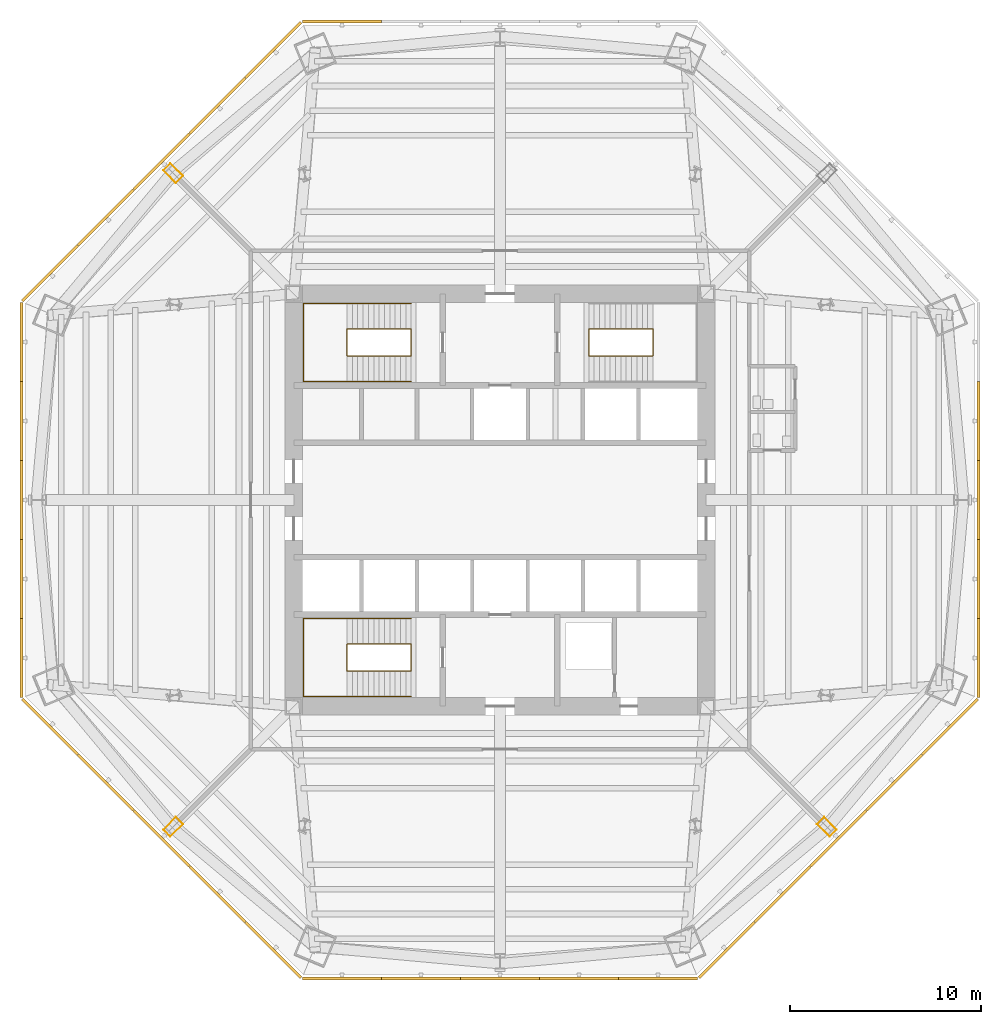
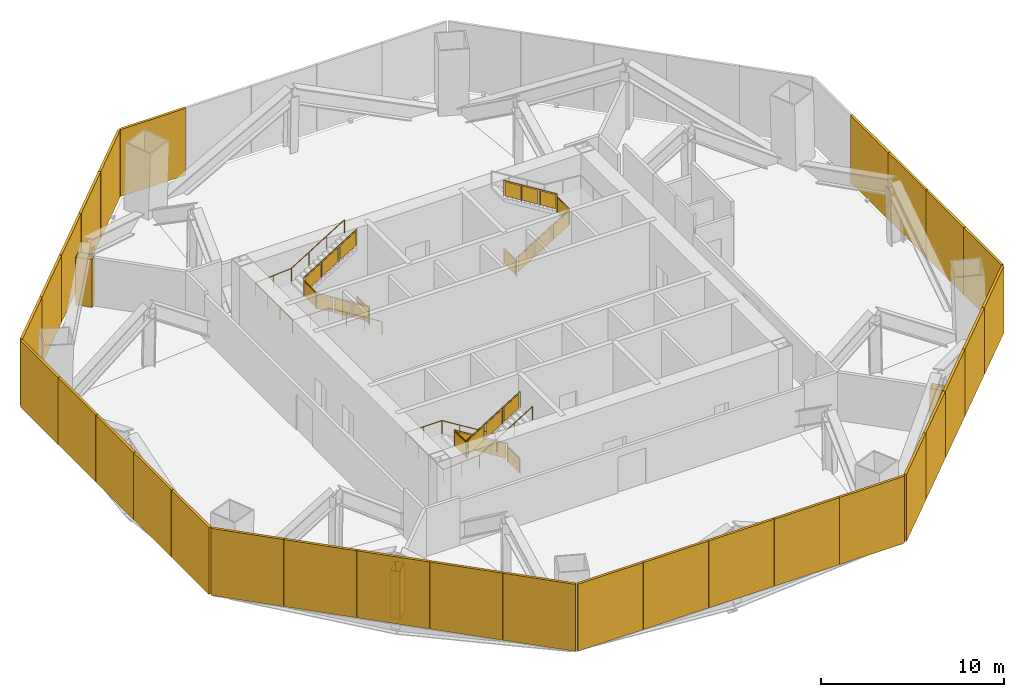
# One storey, part 7 of 9: 30 shading devices, 5 railings, 3 coverings.
"""IFC4 building model written with IfcOpenShell, lengths in metres."""

from ifc_helpers import new_model, si_unit, direction, frame, origin, origin_2d, place, context, subcontext, project, spatial, polyline, rectangle, circle, outline, extrude, source, transform, mapped, material, layer, layer_set, type_object, type_shapes, element, save


model = new_model("IFC4")

# Units and contexts
model_context = context("Model", 3, precision=1e-05, world=origin(), true_north=direction((0.0, 1.0)))
body_context = subcontext(model_context, "Body", "Model", "MODEL_VIEW")
ifc_project = project(units=[si_unit("LENGTHUNIT", "METRE"), si_unit("AREAUNIT", "SQUARE_METRE"), si_unit("VOLUMEUNIT", "CUBIC_METRE"), si_unit("PLANEANGLEUNIT", "RADIAN"), si_unit("MASSUNIT", "GRAM", prefix="KILO")], contexts=[model_context])

# Site, building, storey
site_placement = place(None, origin())
site = spatial("IfcSite", under=ifc_project, at=site_placement, CompositionType="ELEMENT")
building_placement = place(site_placement, origin())
building = spatial("IfcBuilding", under=site, at=building_placement, Name="Mashrafa Tower", CompositionType="ELEMENT")
storey_placement = place(building_placement, frame((0.0, 0.0, 104.39990234375)))
storey = spatial("IfcBuildingStorey", under=building, at=storey_placement, Name="L23", CompositionType="ELEMENT", Elevation=104.39990234375)

# Coverings
ifc_material_1 = material(Name="Gypsum board")
ifc_layer_1 = layer(ifc_material_1, 0.014892578125)
ifc_layer_set_1 = layer_set([ifc_layer_1], Name="Column casing plasterboard 15")
covering_type = type_object("IfcCoveringType", Name="Column casing plasterboard 15", PredefinedType="CLADDING", material=ifc_layer_set_1)
covering_1_placement = place(storey_placement, origin())
element("IfcCovering", 1, at=covering_1_placement, inside=storey, type_object=covering_type, Name="Column casing L23-002", PredefinedType="CLADDING", context=body_context, shape_type="SweptSolid", body=[
    extrude(outline(polyline([(-17.63623046875, 17.26171875), (-17.26171875, 17.63623046875), (-16.598388671875, 16.97314453125), (-16.97314453125, 16.598388671875), (-17.63623046875, 17.26171875)]), holes=[polyline([(-16.61962890625, 16.97314453125), (-17.26171875, 17.614990234375), (-17.614990234375, 17.26171875), (-16.97314453125, 16.61962890625), (-16.61962890625, 16.97314453125)])]), origin(), (0.0, 0.0, 1.0), 3.19873046875),
])
covering_2_placement = place(storey_placement, origin())
element("IfcCovering", 2, at=covering_2_placement, inside=storey, type_object=covering_type, Name="Column casing L23-003", PredefinedType="CLADDING", context=body_context, shape_type="SweptSolid", body=[
    extrude(outline(polyline([(-17.63623046875, -17.26171875), (-16.97314453125, -16.598388671875), (-16.598388671875, -16.97314453125), (-17.26171875, -17.63623046875), (-17.63623046875, -17.26171875)]), holes=[polyline([(-16.61962890625, -16.97314453125), (-16.97314453125, -16.61962890625), (-17.614990234375, -17.26171875), (-17.26171875, -17.614990234375), (-16.61962890625, -16.97314453125)])]), origin(), (0.0, 0.0, 1.0), 3.19873046875),
])
covering_3_placement = place(storey_placement, origin())
element("IfcCovering", 3, at=covering_3_placement, inside=storey, type_object=covering_type, Name="Column casing L23-004", PredefinedType="CLADDING", context=body_context, shape_type="SweptSolid", body=[
    extrude(outline(polyline([(16.598388671875, -16.97314453125), (16.97314453125, -16.598388671875), (17.63623046875, -17.26171875), (17.26171875, -17.63623046875), (16.598388671875, -16.97314453125)]), holes=[polyline([(17.614990234375, -17.26171875), (16.97314453125, -16.61962890625), (16.61962890625, -16.97314453125), (17.26171875, -17.614990234375), (17.614990234375, -17.26171875)])]), origin(), (0.0, 0.0, 1.0), 3.19873046875),
])

# Railings
ifc_material_2 = material(Name="Steel guard with glass infill", Category="steel")
railing_type_1 = type_object("IfcRailingType", Name="Stair guard 1100", PredefinedType="GUARDRAIL", material=ifc_material_2)
railing_1_placement = place(storey_placement, frame((-4.64990234375, 8.949951171875, 0.0)))
element("IfcRailing", 4, at=railing_1_placement, inside=storey, type_object=railing_type_1, Name="Stair S1 guard L23", PredefinedType="GUARDRAIL", context=body_context, shape_type="SweptSolid", body=[
    extrude(circle(Radius=0.02392578125, at=origin_2d()), frame((0.0, 0.0, 1.076171875), z_axis=(0.0, -1.0, 0.0), x_axis=(1.0, 0.0, 0.0)), (0.0, 0.0, 1.0), 1.39990234375),
    extrude(circle(Radius=0.02392578125, at=origin_2d()), frame((0.0, -1.39990234375, 1.076171875), z_axis=(0.0, 0.0, 1.0), x_axis=(1.0, 0.0, 0.0)), (0.0, 0.0, 1.0), 0.173095703125),
    extrude(circle(Radius=0.02392578125, at=origin_2d()), frame((0.0, -1.39990234375, 1.2490234375), z_axis=(-0.850623216509, 0.0, 0.525775754039), x_axis=(0.0, -1.0, 0.0)), (0.0, 0.0, 1.0), 3.9501953125),
    extrude(circle(Radius=0.02392578125, at=origin_2d()), frame((-3.360107421875, -1.39990234375, 3.326171875), z_axis=(0.0, 1.0, 0.0), x_axis=(-1.0, 0.0, 0.0)), (0.0, 0.0, 1.0), 1.39990234375),
    extrude(circle(Radius=0.02392578125, at=origin_2d()), frame((-3.360107421875, 0.0, 3.326171875), z_axis=(0.0, 0.0, 1.0), x_axis=(1.0, 0.0, 0.0)), (0.0, 0.0, 1.0), 0.173095703125),
    extrude(circle(Radius=0.02392578125, at=origin_2d()), frame((-3.360107421875, 0.0, 3.4990234375), z_axis=(0.850623216509, 0.0, 0.525775754039), x_axis=(0.0, 1.0, 0.0)), (0.0, 0.0, 1.0), 3.9501953125),
    extrude(circle(Radius=0.02099609375, at=origin_2d()), origin(), (0.0, 0.0, 1.0), 1.052001953125),
    extrude(circle(Radius=0.02099609375, at=origin_2d()), frame((0.0, -1.39990234375, 0.0)), (0.0, 0.0, 1.0), 1.052001953125),
    extrude(circle(Radius=0.02099609375, at=origin_2d()), frame((0.0, -1.39990234375, 0.173095703125)), (0.0, 0.0, 1.0), 1.052001953125),
    extrude(circle(Radius=0.02099609375, at=origin_2d()), frame((-1.1201171875, -1.39990234375, 0.865478515625)), (0.0, 0.0, 1.0), 1.052001953125),
    extrude(circle(Radius=0.02099609375, at=origin_2d()), frame((-2.239990234375, -1.39990234375, 1.5576171875)), (0.0, 0.0, 1.0), 1.052001953125),
    extrude(circle(Radius=0.02099609375, at=origin_2d()), frame((-3.360107421875, -1.39990234375, 2.25)), (0.0, 0.0, 1.0), 1.052001953125),
    extrude(circle(Radius=0.02099609375, at=origin_2d()), frame((-3.360107421875, 0.0, 2.25)), (0.0, 0.0, 1.0), 1.052001953125),
    extrude(circle(Radius=0.02099609375, at=origin_2d()), frame((-3.360107421875, 0.0, 2.423095703125)), (0.0, 0.0, 1.0), 1.052001953125),
    extrude(circle(Radius=0.02099609375, at=origin_2d()), frame((-2.239990234375, 0.0, 3.115478515625)), (0.0, 0.0, 1.0), 1.052001953125),
    extrude(circle(Radius=0.02099609375, at=origin_2d()), frame((-1.1201171875, 0.0, 3.8076171875)), (0.0, 0.0, 1.0), 1.052001953125),
    extrude(circle(Radius=0.02099609375, at=origin_2d()), frame((0.0, 0.0, 4.5)), (0.0, 0.0, 1.0), 1.052001953125),
    extrude(outline(polyline([(0.071044921875, 0.050048828125), (1.328857421875, 0.050048828125), (1.328857421875, 1.001953125), (0.071044921875, 1.001953125), (0.071044921875, 0.050048828125)])), frame((-0.006103515625, 0.0, 0.0), z_axis=(-1.0, 0.0, 0.0), x_axis=(0.0, -1.0, 0.0)), (0.0, 0.0, 1.0), 0.011962890625),
    extrude(outline(polyline([(0.071044921875, 0.093994140625), (1.049072265625, 0.698486328125), (1.049072265625, 1.650390625), (0.071044921875, 1.0458984375), (0.071044921875, 0.093994140625)])), frame((0.0, -1.393798828125, 0.173095703125), z_axis=(0.0, 1.0, 0.0), x_axis=(-1.0, 0.0, 0.0)), (0.0, 0.0, 1.0), 0.011962890625),
    extrude(outline(polyline([(1.19091796875, 0.7861328125), (2.169189453125, 1.390625), (2.169189453125, 2.3427734375), (1.19091796875, 1.73828125), (1.19091796875, 0.7861328125)])), frame((0.0, -1.393798828125, 0.173095703125), z_axis=(0.0, 1.0, 0.0), x_axis=(-1.0, 0.0, 0.0)), (0.0, 0.0, 1.0), 0.011962890625),
    extrude(outline(polyline([(2.31103515625, 1.478515625), (3.2890625, 2.0830078125), (3.2890625, 3.034912109375), (2.31103515625, 2.430419921875), (2.31103515625, 1.478515625)])), frame((0.0, -1.393798828125, 0.173095703125), z_axis=(0.0, 1.0, 0.0), x_axis=(-1.0, 0.0, 0.0)), (0.0, 0.0, 1.0), 0.011962890625),
    extrude(outline(polyline([(0.071044921875, 0.050048828125), (1.328857421875, 0.050048828125), (1.328857421875, 1.001953125), (0.071044921875, 1.001953125), (0.071044921875, 0.050048828125)])), frame((-3.35400390625, -1.39990234375, 2.25), z_axis=(1.0, 0.0, 0.0), x_axis=(0.0, 1.0, 0.0)), (0.0, 0.0, 1.0), 0.011962890625),
    extrude(outline(polyline([(0.071044921875, 0.093994140625), (1.049072265625, 0.698486328125), (1.049072265625, 1.650390625), (0.071044921875, 1.0458984375), (0.071044921875, 0.093994140625)])), frame((-3.360107421875, -0.006103515625, 2.423095703125), z_axis=(0.0, -1.0, 0.0), x_axis=(1.0, 0.0, 0.0)), (0.0, 0.0, 1.0), 0.011962890625),
    extrude(outline(polyline([(1.19091796875, 0.7861328125), (2.169189453125, 1.390625), (2.169189453125, 2.3427734375), (1.19091796875, 1.73828125), (1.19091796875, 0.7861328125)])), frame((-3.360107421875, -0.006103515625, 2.423095703125), z_axis=(0.0, -1.0, 0.0), x_axis=(1.0, 0.0, 0.0)), (0.0, 0.0, 1.0), 0.011962890625),
    extrude(outline(polyline([(2.31103515625, 1.478515625), (3.2890625, 2.0830078125), (3.2890625, 3.034912109375), (2.31103515625, 2.430419921875), (2.31103515625, 1.478515625)])), frame((-3.360107421875, -0.006103515625, 2.423095703125), z_axis=(0.0, -1.0, 0.0), x_axis=(1.0, 0.0, 0.0)), (0.0, 0.0, 1.0), 0.011962890625),
])
railing_2_placement = place(storey_placement, frame((4.64990234375, 8.949951171875, 0.0)))
element("IfcRailing", 5, at=railing_2_placement, inside=storey, type_object=railing_type_1, Name="Stair S2 guard L23", PredefinedType="GUARDRAIL", context=body_context, shape_type="SweptSolid", body=[
    extrude(circle(Radius=0.02392578125, at=origin_2d()), frame((0.0, 0.0, 1.076171875), z_axis=(0.0, -1.0, 0.0), x_axis=(1.0, 0.0, 0.0)), (0.0, 0.0, 1.0), 1.39990234375),
    extrude(circle(Radius=0.02392578125, at=origin_2d()), frame((0.0, -1.39990234375, 1.076171875), z_axis=(0.0, 0.0, 1.0), x_axis=(1.0, 0.0, 0.0)), (0.0, 0.0, 1.0), 0.173095703125),
    extrude(circle(Radius=0.02392578125, at=origin_2d()), frame((0.0, -1.39990234375, 1.2490234375), z_axis=(0.850623216509, 0.0, 0.525775754039), x_axis=(0.0, 1.0, 0.0)), (0.0, 0.0, 1.0), 3.9501953125),
    extrude(circle(Radius=0.02392578125, at=origin_2d()), frame((3.360107421875, -1.39990234375, 3.326171875), z_axis=(0.0, 1.0, 0.0), x_axis=(-1.0, 0.0, 0.0)), (0.0, 0.0, 1.0), 1.39990234375),
    extrude(circle(Radius=0.02392578125, at=origin_2d()), frame((3.360107421875, 0.0, 3.326171875), z_axis=(0.0, 0.0, 1.0), x_axis=(1.0, 0.0, 0.0)), (0.0, 0.0, 1.0), 0.173095703125),
    extrude(circle(Radius=0.02392578125, at=origin_2d()), frame((3.360107421875, 0.0, 3.4990234375), z_axis=(-0.850623216509, 0.0, 0.525775754039), x_axis=(0.0, -1.0, 0.0)), (0.0, 0.0, 1.0), 3.9501953125),
    extrude(circle(Radius=0.02099609375, at=origin_2d()), origin(), (0.0, 0.0, 1.0), 1.052001953125),
    extrude(circle(Radius=0.02099609375, at=origin_2d()), frame((0.0, -1.39990234375, 0.0)), (0.0, 0.0, 1.0), 1.052001953125),
    extrude(circle(Radius=0.02099609375, at=origin_2d()), frame((0.0, -1.39990234375, 0.173095703125)), (0.0, 0.0, 1.0), 1.052001953125),
    extrude(circle(Radius=0.02099609375, at=origin_2d()), frame((1.1201171875, -1.39990234375, 0.865478515625)), (0.0, 0.0, 1.0), 1.052001953125),
    extrude(circle(Radius=0.02099609375, at=origin_2d()), frame((2.239990234375, -1.39990234375, 1.5576171875)), (0.0, 0.0, 1.0), 1.052001953125),
    extrude(circle(Radius=0.02099609375, at=origin_2d()), frame((3.360107421875, -1.39990234375, 2.25)), (0.0, 0.0, 1.0), 1.052001953125),
    extrude(circle(Radius=0.02099609375, at=origin_2d()), frame((3.360107421875, 0.0, 2.25)), (0.0, 0.0, 1.0), 1.052001953125),
    extrude(circle(Radius=0.02099609375, at=origin_2d()), frame((3.360107421875, 0.0, 2.423095703125)), (0.0, 0.0, 1.0), 1.052001953125),
    extrude(circle(Radius=0.02099609375, at=origin_2d()), frame((2.239990234375, 0.0, 3.115478515625)), (0.0, 0.0, 1.0), 1.052001953125),
    extrude(circle(Radius=0.02099609375, at=origin_2d()), frame((1.1201171875, 0.0, 3.8076171875)), (0.0, 0.0, 1.0), 1.052001953125),
    extrude(circle(Radius=0.02099609375, at=origin_2d()), frame((0.0, 0.0, 4.5)), (0.0, 0.0, 1.0), 1.052001953125),
    extrude(outline(polyline([(0.071044921875, 0.050048828125), (1.328857421875, 0.050048828125), (1.328857421875, 1.001953125), (0.071044921875, 1.001953125), (0.071044921875, 0.050048828125)])), frame((-0.006103515625, 0.0, 0.0), z_axis=(-1.0, 0.0, 0.0), x_axis=(0.0, -1.0, 0.0)), (0.0, 0.0, 1.0), 0.011962890625),
    extrude(outline(polyline([(0.071044921875, 0.093994140625), (1.049072265625, 0.698486328125), (1.049072265625, 1.650390625), (0.071044921875, 1.0458984375), (0.071044921875, 0.093994140625)])), frame((0.0, -1.406005859375, 0.173095703125), z_axis=(0.0, -1.0, 0.0), x_axis=(1.0, 0.0, 0.0)), (0.0, 0.0, 1.0), 0.011962890625),
    extrude(outline(polyline([(1.19091796875, 0.7861328125), (2.169189453125, 1.390625), (2.169189453125, 2.3427734375), (1.19091796875, 1.73828125), (1.19091796875, 0.7861328125)])), frame((0.0, -1.406005859375, 0.173095703125), z_axis=(0.0, -1.0, 0.0), x_axis=(1.0, 0.0, 0.0)), (0.0, 0.0, 1.0), 0.011962890625),
    extrude(outline(polyline([(2.31103515625, 1.478515625), (3.2890625, 2.0830078125), (3.2890625, 3.034912109375), (2.31103515625, 2.430419921875), (2.31103515625, 1.478515625)])), frame((0.0, -1.406005859375, 0.173095703125), z_axis=(0.0, -1.0, 0.0), x_axis=(1.0, 0.0, 0.0)), (0.0, 0.0, 1.0), 0.011962890625),
    extrude(outline(polyline([(0.071044921875, 0.050048828125), (1.328857421875, 0.050048828125), (1.328857421875, 1.001953125), (0.071044921875, 1.001953125), (0.071044921875, 0.050048828125)])), frame((3.3662109375, -1.39990234375, 2.25), z_axis=(1.0, 0.0, 0.0), x_axis=(0.0, 1.0, 0.0)), (0.0, 0.0, 1.0), 0.011962890625),
    extrude(outline(polyline([(0.071044921875, 0.093994140625), (1.049072265625, 0.698486328125), (1.049072265625, 1.650390625), (0.071044921875, 1.0458984375), (0.071044921875, 0.093994140625)])), frame((3.360107421875, 0.006103515625, 2.423095703125), z_axis=(0.0, 1.0, 0.0), x_axis=(-1.0, 0.0, 0.0)), (0.0, 0.0, 1.0), 0.011962890625),
    extrude(outline(polyline([(1.19091796875, 0.7861328125), (2.169189453125, 1.390625), (2.169189453125, 2.3427734375), (1.19091796875, 1.73828125), (1.19091796875, 0.7861328125)])), frame((3.360107421875, 0.006103515625, 2.423095703125), z_axis=(0.0, 1.0, 0.0), x_axis=(-1.0, 0.0, 0.0)), (0.0, 0.0, 1.0), 0.011962890625),
    extrude(outline(polyline([(2.31103515625, 1.478515625), (3.2890625, 2.0830078125), (3.2890625, 3.034912109375), (2.31103515625, 2.430419921875), (2.31103515625, 1.478515625)])), frame((3.360107421875, 0.006103515625, 2.423095703125), z_axis=(0.0, 1.0, 0.0), x_axis=(-1.0, 0.0, 0.0)), (0.0, 0.0, 1.0), 0.011962890625),
])
railing_3_placement = place(storey_placement, frame((-4.64990234375, -8.949951171875, 0.0)))
element("IfcRailing", 6, at=railing_3_placement, inside=storey, type_object=railing_type_1, Name="Stair S3 guard L23", PredefinedType="GUARDRAIL", context=body_context, shape_type="SweptSolid", body=[
    extrude(circle(Radius=0.02392578125, at=origin_2d()), frame((0.0, 0.0, 1.076171875), z_axis=(0.0, 1.0, 0.0), x_axis=(-1.0, 0.0, 0.0)), (0.0, 0.0, 1.0), 1.39990234375),
    extrude(circle(Radius=0.02392578125, at=origin_2d()), frame((0.0, 1.39990234375, 1.076171875), z_axis=(0.0, 0.0, 1.0), x_axis=(1.0, 0.0, 0.0)), (0.0, 0.0, 1.0), 0.173095703125),
    extrude(circle(Radius=0.02392578125, at=origin_2d()), frame((0.0, 1.39990234375, 1.2490234375), z_axis=(-0.850623216509, 0.0, 0.525775754039), x_axis=(0.0, -1.0, 0.0)), (0.0, 0.0, 1.0), 3.9501953125),
    extrude(circle(Radius=0.02392578125, at=origin_2d()), frame((-3.360107421875, 1.39990234375, 3.326171875), z_axis=(0.0, -1.0, 0.0), x_axis=(1.0, 0.0, 0.0)), (0.0, 0.0, 1.0), 1.39990234375),
    extrude(circle(Radius=0.02392578125, at=origin_2d()), frame((-3.360107421875, 0.0, 3.326171875), z_axis=(0.0, 0.0, 1.0), x_axis=(1.0, 0.0, 0.0)), (0.0, 0.0, 1.0), 0.173095703125),
    extrude(circle(Radius=0.02392578125, at=origin_2d()), frame((-3.360107421875, 0.0, 3.4990234375), z_axis=(0.850623216509, 0.0, 0.525775754039), x_axis=(0.0, 1.0, 0.0)), (0.0, 0.0, 1.0), 3.9501953125),
    extrude(circle(Radius=0.02099609375, at=origin_2d()), origin(), (0.0, 0.0, 1.0), 1.052001953125),
    extrude(circle(Radius=0.02099609375, at=origin_2d()), frame((0.0, 1.39990234375, 0.0)), (0.0, 0.0, 1.0), 1.052001953125),
    extrude(circle(Radius=0.02099609375, at=origin_2d()), frame((0.0, 1.39990234375, 0.173095703125)), (0.0, 0.0, 1.0), 1.052001953125),
    extrude(circle(Radius=0.02099609375, at=origin_2d()), frame((-1.1201171875, 1.39990234375, 0.865478515625)), (0.0, 0.0, 1.0), 1.052001953125),
    extrude(circle(Radius=0.02099609375, at=origin_2d()), frame((-2.239990234375, 1.39990234375, 1.5576171875)), (0.0, 0.0, 1.0), 1.052001953125),
    extrude(circle(Radius=0.02099609375, at=origin_2d()), frame((-3.360107421875, 1.39990234375, 2.25)), (0.0, 0.0, 1.0), 1.052001953125),
    extrude(circle(Radius=0.02099609375, at=origin_2d()), frame((-3.360107421875, 0.0, 2.25)), (0.0, 0.0, 1.0), 1.052001953125),
    extrude(circle(Radius=0.02099609375, at=origin_2d()), frame((-3.360107421875, 0.0, 2.423095703125)), (0.0, 0.0, 1.0), 1.052001953125),
    extrude(circle(Radius=0.02099609375, at=origin_2d()), frame((-2.239990234375, 0.0, 3.115478515625)), (0.0, 0.0, 1.0), 1.052001953125),
    extrude(circle(Radius=0.02099609375, at=origin_2d()), frame((-1.1201171875, 0.0, 3.8076171875)), (0.0, 0.0, 1.0), 1.052001953125),
    extrude(circle(Radius=0.02099609375, at=origin_2d()), frame((0.0, 0.0, 4.5)), (0.0, 0.0, 1.0), 1.052001953125),
    extrude(outline(polyline([(0.071044921875, 0.050048828125), (1.328857421875, 0.050048828125), (1.328857421875, 1.001953125), (0.071044921875, 1.001953125), (0.071044921875, 0.050048828125)])), frame((0.006103515625, 0.0, 0.0), z_axis=(1.0, 0.0, 0.0), x_axis=(0.0, 1.0, 0.0)), (0.0, 0.0, 1.0), 0.011962890625),
    extrude(outline(polyline([(0.071044921875, 0.093994140625), (1.049072265625, 0.698486328125), (1.049072265625, 1.650390625), (0.071044921875, 1.0458984375), (0.071044921875, 0.093994140625)])), frame((0.0, 1.406005859375, 0.173095703125), z_axis=(0.0, 1.0, 0.0), x_axis=(-1.0, 0.0, 0.0)), (0.0, 0.0, 1.0), 0.011962890625),
    extrude(outline(polyline([(1.19091796875, 0.7861328125), (2.169189453125, 1.390625), (2.169189453125, 2.3427734375), (1.19091796875, 1.73828125), (1.19091796875, 0.7861328125)])), frame((0.0, 1.406005859375, 0.173095703125), z_axis=(0.0, 1.0, 0.0), x_axis=(-1.0, 0.0, 0.0)), (0.0, 0.0, 1.0), 0.011962890625),
    extrude(outline(polyline([(2.31103515625, 1.478515625), (3.2890625, 2.0830078125), (3.2890625, 3.034912109375), (2.31103515625, 2.430419921875), (2.31103515625, 1.478515625)])), frame((0.0, 1.406005859375, 0.173095703125), z_axis=(0.0, 1.0, 0.0), x_axis=(-1.0, 0.0, 0.0)), (0.0, 0.0, 1.0), 0.011962890625),
    extrude(outline(polyline([(0.071044921875, 0.050048828125), (1.328857421875, 0.050048828125), (1.328857421875, 1.001953125), (0.071044921875, 1.001953125), (0.071044921875, 0.050048828125)])), frame((-3.3662109375, 1.39990234375, 2.25), z_axis=(-1.0, 0.0, 0.0), x_axis=(0.0, -1.0, 0.0)), (0.0, 0.0, 1.0), 0.011962890625),
    extrude(outline(polyline([(0.071044921875, 0.093994140625), (1.049072265625, 0.698486328125), (1.049072265625, 1.650390625), (0.071044921875, 1.0458984375), (0.071044921875, 0.093994140625)])), frame((-3.360107421875, -0.006103515625, 2.423095703125), z_axis=(0.0, -1.0, 0.0), x_axis=(1.0, 0.0, 0.0)), (0.0, 0.0, 1.0), 0.011962890625),
    extrude(outline(polyline([(1.19091796875, 0.7861328125), (2.169189453125, 1.390625), (2.169189453125, 2.3427734375), (1.19091796875, 1.73828125), (1.19091796875, 0.7861328125)])), frame((-3.360107421875, -0.006103515625, 2.423095703125), z_axis=(0.0, -1.0, 0.0), x_axis=(1.0, 0.0, 0.0)), (0.0, 0.0, 1.0), 0.011962890625),
    extrude(outline(polyline([(2.31103515625, 1.478515625), (3.2890625, 2.0830078125), (3.2890625, 3.034912109375), (2.31103515625, 2.430419921875), (2.31103515625, 1.478515625)])), frame((-3.360107421875, -0.006103515625, 2.423095703125), z_axis=(0.0, -1.0, 0.0), x_axis=(1.0, 0.0, 0.0)), (0.0, 0.0, 1.0), 0.011962890625),
])
ifc_material_3 = material(Name="Steel", Category="steel")
railing_type_2 = type_object("IfcRailingType", Name="Stair handrail 900", PredefinedType="HANDRAIL", material=ifc_material_3)
railing_4_placement = place(storey_placement, frame((-4.64990234375, 6.199951171875, 0.173095703125)))
element("IfcRailing", 7, at=railing_4_placement, inside=storey, type_object=railing_type_2, Name="Stair S1 handrail L23", PredefinedType="HANDRAIL", context=body_context, shape_type="SweptSolid", body=[
    extrude(circle(Radius=0.02392578125, at=origin_2d()), frame((0.0, 0.0, 0.8759765625), z_axis=(-0.850623216509, 0.0, 0.525775754039), x_axis=(0.0, -1.0, 0.0)), (0.0, 0.0, 1.0), 3.9501953125),
    extrude(circle(Radius=0.02392578125, at=origin_2d()), frame((-3.360107421875, 0.0, 2.95263671875), z_axis=(-1.0, 0.0, 0.0), x_axis=(0.0, -1.0, 0.0)), (0.0, 0.0, 1.0), 2.2900390625),
    extrude(circle(Radius=0.02392578125, at=origin_2d()), frame((-5.650146484375, 0.0, 2.95263671875), z_axis=(0.0, 1.0, 0.0), x_axis=(-1.0, 0.0, 0.0)), (0.0, 0.0, 1.0), 4.10009765625),
    extrude(circle(Radius=0.02392578125, at=origin_2d()), frame((-5.650146484375, 4.10009765625, 2.95263671875), z_axis=(0.99715553422, 0.0, 0.075371351147), x_axis=(0.0, 1.0, 0.0)), (0.0, 0.0, 1.0), 2.296630859375),
    extrude(circle(Radius=0.02392578125, at=origin_2d()), frame((-3.360107421875, 4.10009765625, 3.1259765625), z_axis=(0.850623216509, 0.0, 0.525775754039), x_axis=(0.0, 1.0, 0.0)), (0.0, 0.0, 1.0), 3.9501953125),
    extrude(circle(Radius=0.02099609375, at=origin_2d()), origin(), (0.0, 0.0, 1.0), 0.851806640625),
    extrude(circle(Radius=0.02099609375, at=origin_2d()), frame((-1.1201171875, 0.0, 0.6923828125)), (0.0, 0.0, 1.0), 0.851806640625),
    extrude(circle(Radius=0.02099609375, at=origin_2d()), frame((-2.239990234375, 0.0, 1.384521484375)), (0.0, 0.0, 1.0), 0.851806640625),
    extrude(circle(Radius=0.02099609375, at=origin_2d()), frame((-3.360107421875, 0.0, 2.076904296875)), (0.0, 0.0, 1.0), 0.851806640625),
    extrude(circle(Radius=0.02099609375, at=origin_2d()), frame((-4.505126953125, 0.0, 2.076904296875)), (0.0, 0.0, 1.0), 0.851806640625),
    extrude(circle(Radius=0.02099609375, at=origin_2d()), frame((-5.650146484375, 0.0, 2.076904296875)), (0.0, 0.0, 1.0), 0.851806640625),
    extrude(circle(Radius=0.02099609375, at=origin_2d()), frame((-5.650146484375, 1.36669921875, 2.076904296875)), (0.0, 0.0, 1.0), 0.851806640625),
    extrude(circle(Radius=0.02099609375, at=origin_2d()), frame((-5.650146484375, 2.7333984375, 2.076904296875)), (0.0, 0.0, 1.0), 0.851806640625),
    extrude(circle(Radius=0.02099609375, at=origin_2d()), frame((-5.650146484375, 4.10009765625, 2.076904296875)), (0.0, 0.0, 1.0), 0.851806640625),
    extrude(circle(Radius=0.02099609375, at=origin_2d()), frame((-4.505126953125, 4.10009765625, 2.16357421875)), (0.0, 0.0, 1.0), 0.851806640625),
    extrude(circle(Radius=0.02099609375, at=origin_2d()), frame((-3.360107421875, 4.10009765625, 2.25)), (0.0, 0.0, 1.0), 0.851806640625),
    extrude(circle(Radius=0.02099609375, at=origin_2d()), frame((-2.239990234375, 4.10009765625, 2.9423828125)), (0.0, 0.0, 1.0), 0.851806640625),
    extrude(circle(Radius=0.02099609375, at=origin_2d()), frame((-1.1201171875, 4.10009765625, 3.634521484375)), (0.0, 0.0, 1.0), 0.851806640625),
    extrude(circle(Radius=0.02099609375, at=origin_2d()), frame((0.0, 4.10009765625, 4.326904296875)), (0.0, 0.0, 1.0), 0.851806640625),
])
railing_5_placement = place(storey_placement, frame((-4.64990234375, -6.199951171875, 0.173095703125)))
element("IfcRailing", 8, at=railing_5_placement, inside=storey, type_object=railing_type_2, Name="Stair S3 handrail L23", PredefinedType="HANDRAIL", context=body_context, shape_type="SweptSolid", body=[
    extrude(circle(Radius=0.02392578125, at=origin_2d()), frame((0.0, 0.0, 0.8759765625), z_axis=(-0.850623216509, 0.0, 0.525775754039), x_axis=(0.0, -1.0, 0.0)), (0.0, 0.0, 1.0), 3.9501953125),
    extrude(circle(Radius=0.02392578125, at=origin_2d()), frame((-3.360107421875, 0.0, 2.95263671875), z_axis=(-1.0, 0.0, 0.0), x_axis=(0.0, -1.0, 0.0)), (0.0, 0.0, 1.0), 2.2900390625),
    extrude(circle(Radius=0.02392578125, at=origin_2d()), frame((-5.650146484375, 0.0, 2.95263671875), z_axis=(0.0, -1.0, 0.0), x_axis=(1.0, 0.0, 0.0)), (0.0, 0.0, 1.0), 4.10009765625),
    extrude(circle(Radius=0.02392578125, at=origin_2d()), frame((-5.650146484375, -4.10009765625, 2.95263671875), z_axis=(0.99715553422, 0.0, 0.075371351147), x_axis=(0.0, 1.0, 0.0)), (0.0, 0.0, 1.0), 2.296630859375),
    extrude(circle(Radius=0.02392578125, at=origin_2d()), frame((-3.360107421875, -4.10009765625, 3.1259765625), z_axis=(0.850623216509, 0.0, 0.525775754039), x_axis=(0.0, 1.0, 0.0)), (0.0, 0.0, 1.0), 3.9501953125),
    extrude(circle(Radius=0.02099609375, at=origin_2d()), origin(), (0.0, 0.0, 1.0), 0.851806640625),
    extrude(circle(Radius=0.02099609375, at=origin_2d()), frame((-1.1201171875, 0.0, 0.6923828125)), (0.0, 0.0, 1.0), 0.851806640625),
    extrude(circle(Radius=0.02099609375, at=origin_2d()), frame((-2.239990234375, 0.0, 1.384521484375)), (0.0, 0.0, 1.0), 0.851806640625),
    extrude(circle(Radius=0.02099609375, at=origin_2d()), frame((-3.360107421875, 0.0, 2.076904296875)), (0.0, 0.0, 1.0), 0.851806640625),
    extrude(circle(Radius=0.02099609375, at=origin_2d()), frame((-4.505126953125, 0.0, 2.076904296875)), (0.0, 0.0, 1.0), 0.851806640625),
    extrude(circle(Radius=0.02099609375, at=origin_2d()), frame((-5.650146484375, 0.0, 2.076904296875)), (0.0, 0.0, 1.0), 0.851806640625),
    extrude(circle(Radius=0.02099609375, at=origin_2d()), frame((-5.650146484375, -1.36669921875, 2.076904296875)), (0.0, 0.0, 1.0), 0.851806640625),
    extrude(circle(Radius=0.02099609375, at=origin_2d()), frame((-5.650146484375, -2.7333984375, 2.076904296875)), (0.0, 0.0, 1.0), 0.851806640625),
    extrude(circle(Radius=0.02099609375, at=origin_2d()), frame((-5.650146484375, -4.10009765625, 2.076904296875)), (0.0, 0.0, 1.0), 0.851806640625),
    extrude(circle(Radius=0.02099609375, at=origin_2d()), frame((-4.505126953125, -4.10009765625, 2.16357421875)), (0.0, 0.0, 1.0), 0.851806640625),
    extrude(circle(Radius=0.02099609375, at=origin_2d()), frame((-3.360107421875, -4.10009765625, 2.25)), (0.0, 0.0, 1.0), 0.851806640625),
    extrude(circle(Radius=0.02099609375, at=origin_2d()), frame((-2.239990234375, -4.10009765625, 2.9423828125)), (0.0, 0.0, 1.0), 0.851806640625),
    extrude(circle(Radius=0.02099609375, at=origin_2d()), frame((-1.1201171875, -4.10009765625, 3.634521484375)), (0.0, 0.0, 1.0), 0.851806640625),
    extrude(circle(Radius=0.02099609375, at=origin_2d()), frame((0.0, -4.10009765625, 4.326904296875)), (0.0, 0.0, 1.0), 0.851806640625),
])

# Shading devices
ifc_material_4 = material(Name="Extruded aluminium weather louvre", Category="aluminium")
ifc_layer_2 = layer(ifc_material_4, 0.14990234375)
ifc_layer_set_2 = layer_set([ifc_layer_2], Name="Plant louvre screen 150")
shading_device_type = type_object("IfcShadingDeviceType", Name="Plant louvre screen 150", PredefinedType="SHUTTER", material=ifc_layer_set_2)
shared_shape = source(origin(), body_context, "Body", "SweptSolid", [
    extrude(rectangle(XDim=4.115966796875, YDim=0.14990234375, at=origin_2d()), origin(), (0.0, 0.0, 1.0), 4.47998046875),
])
type_shapes(shading_device_type, [shared_shape])
for number, where, z_axis, x_axis, name in (
    (9, (25.061279296875, -8.271728515625, 0.0), (0.0, 0.0, 1.0), (0.0, 1.0, 0.0), "Plant louvre screen L23 east 1"),
    (10, (25.061279296875, -4.135986328125, 0.0), (0.0, 0.0, 1.0), (0.0, 1.0, 0.0), "Plant louvre screen L23 east 2"),
    (11, (25.061279296875, 0.0, 0.0), (0.0, 0.0, 1.0), (0.0, 1.0, 0.0), "Plant louvre screen L23 east 3"),
    (12, (25.061279296875, 4.135986328125, 0.0), (0.0, 0.0, 1.0), (0.0, 1.0, 0.0), "Plant louvre screen L23 east 4"),
    (13, (-8.271728515625, 25.061279296875, 0.0), (0.0, 0.0, 1.0), (-1.0, 0.0, 0.0), "Plant louvre screen L23 north 5"),
    (14, (-11.8720703125, 23.570068359375, 0.0), (0.0, 0.0, 1.0), (-0.707106781187, -0.707106781187, 0.0), "Plant louvre screen L23 north-west 1"),
    (15, (-14.796630859375, 20.6455078125, 0.0), (0.0, 0.0, 1.0), (-0.707106781187, -0.707106781187, 0.0), "Plant louvre screen L23 north-west 2"),
    (16, (-17.72119140625, 17.72119140625, 0.0), (0.0, 0.0, 1.0), (-0.707106781187, -0.707106781187, 0.0), "Plant louvre screen L23 north-west 3"),
    (17, (-20.6455078125, 14.796630859375, 0.0), (0.0, 0.0, 1.0), (-0.707106781187, -0.707106781187, 0.0), "Plant louvre screen L23 north-west 4"),
    (18, (-23.570068359375, 11.8720703125, 0.0), (0.0, 0.0, 1.0), (-0.707106781187, -0.707106781187, 0.0), "Plant louvre screen L23 north-west 5"),
    (19, (-25.061279296875, 8.271728515625, 0.0), (0.0, 0.0, 1.0), (0.0, -1.0, 0.0), "Plant louvre screen L23 west 1"),
    (20, (-25.061279296875, 4.135986328125, 0.0), (0.0, 0.0, 1.0), (0.0, -1.0, 0.0), "Plant louvre screen L23 west 2"),
    (21, (-25.061279296875, 0.0, 0.0), (0.0, 0.0, 1.0), (0.0, -1.0, 0.0), "Plant louvre screen L23 west 3"),
    (22, (-25.061279296875, -4.135986328125, 0.0), (0.0, 0.0, 1.0), (0.0, -1.0, 0.0), "Plant louvre screen L23 west 4"),
    (23, (-25.061279296875, -8.271728515625, 0.0), (0.0, 0.0, 1.0), (0.0, -1.0, 0.0), "Plant louvre screen L23 west 5"),
    (24, (-23.570068359375, -11.8720703125, 0.0), (0.0, 0.0, 1.0), (0.707106781187, -0.707106781187, 0.0), "Plant louvre screen L23 south-west 1"),
    (25, (-20.6455078125, -14.796630859375, 0.0), (0.0, 0.0, 1.0), (0.707106781187, -0.707106781187, 0.0), "Plant louvre screen L23 south-west 2"),
    (26, (-17.72119140625, -17.72119140625, 0.0), (0.0, 0.0, 1.0), (0.707106781187, -0.707106781187, 0.0), "Plant louvre screen L23 south-west 3"),
    (27, (-14.796630859375, -20.6455078125, 0.0), (0.0, 0.0, 1.0), (0.707106781187, -0.707106781187, 0.0), "Plant louvre screen L23 south-west 4"),
    (28, (-11.8720703125, -23.570068359375, 0.0), (0.0, 0.0, 1.0), (0.707106781187, -0.707106781187, 0.0), "Plant louvre screen L23 south-west 5"),
    (29, (-8.271728515625, -25.061279296875, 0.0), (0.0, 0.0, 1.0), (1.0, 0.0, 0.0), "Plant louvre screen L23 south 1"),
    (30, (-4.135986328125, -25.061279296875, 0.0), (0.0, 0.0, 1.0), (1.0, 0.0, 0.0), "Plant louvre screen L23 south 2"),
    (31, (0.0, -25.061279296875, 0.0), (0.0, 0.0, 1.0), (1.0, 0.0, 0.0), "Plant louvre screen L23 south 3"),
    (32, (4.135986328125, -25.061279296875, 0.0), (0.0, 0.0, 1.0), (1.0, 0.0, 0.0), "Plant louvre screen L23 south 4"),
    (33, (8.271728515625, -25.061279296875, 0.0), (0.0, 0.0, 1.0), (1.0, 0.0, 0.0), "Plant louvre screen L23 south 5"),
    (34, (11.8720703125, -23.570068359375, 0.0), (0.0, 0.0, 1.0), (0.707106781187, 0.707106781187, 0.0), "Plant louvre screen L23 south-east 1"),
    (35, (14.796630859375, -20.6455078125, 0.0), (0.0, 0.0, 1.0), (0.707106781187, 0.707106781187, 0.0), "Plant louvre screen L23 south-east 2"),
    (36, (17.72119140625, -17.72119140625, 0.0), (0.0, 0.0, 1.0), (0.707106781187, 0.707106781187, 0.0), "Plant louvre screen L23 south-east 3"),
    (37, (20.6455078125, -14.796630859375, 0.0), (0.0, 0.0, 1.0), (0.707106781187, 0.707106781187, 0.0), "Plant louvre screen L23 south-east 4"),
    (38, (23.570068359375, -11.8720703125, 0.0), (0.0, 0.0, 1.0), (0.707106781187, 0.707106781187, 0.0), "Plant louvre screen L23 south-east 5"),
):
    element("IfcShadingDevice", number, at=place(storey_placement, frame(where, z_axis=z_axis, x_axis=x_axis)), inside=storey, type_object=shading_device_type, Name=name, PredefinedType="SHUTTER", context=body_context, shape_type="MappedRepresentation", body=[
        mapped(shared_shape, transform((0.0, 0.0, 0.0))),
    ])

save(model, "model.ifc")
